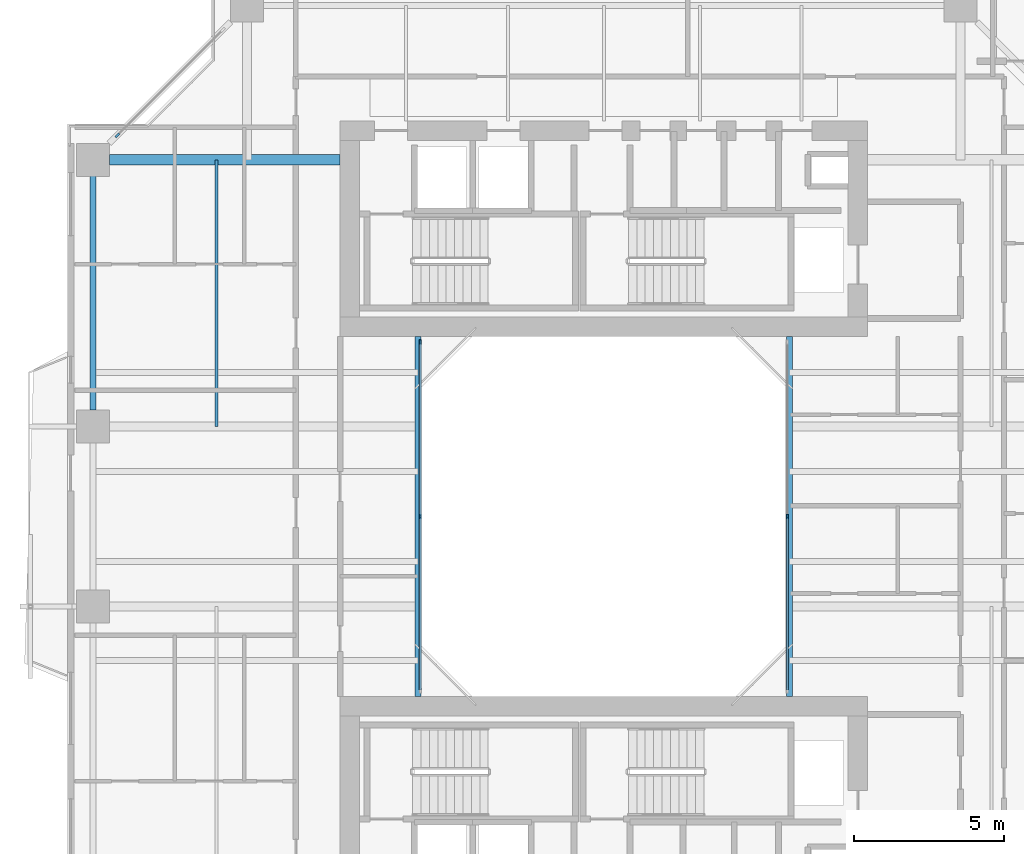
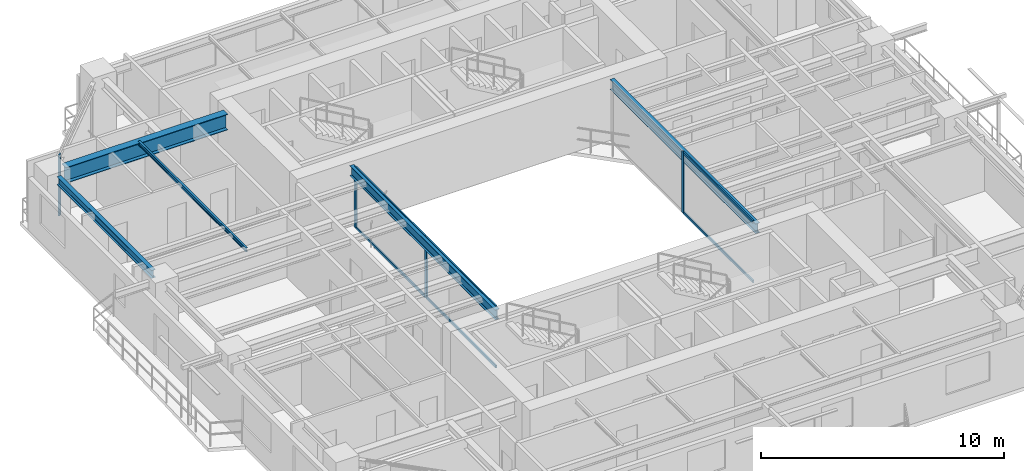
# One storey, part 5 of 17: 10 members, 5 beams, 3 elements without a shape of their own.
"""IFC4 building model written with IfcOpenShell, lengths in metres."""

import ifcopenshell
import ifcopenshell.guid

model = None  # the IFC model being written
_history = None  # IfcOwnerHistory: only IFC2X3 demands one
_inside = {}  # id of a spatial element -> (the spatial element, [elements in it])
_under = {}  # id of a project, library or spatial element -> (it, [spatial elements below it])
_declared = {}  # id of a project -> (the project, [libraries it declares])
_typed = {}  # id of a type object -> (the type object, [elements of that type])
_made_of = {}  # id of a material, layer set ... -> (it, [elements and type objects made of it])


def new_model(schema):
    """Start an empty IFC model of exactly this schema.

    Asked for "IFC4X3", IfcOpenShell would pick the latest addendum, in which some entities
    have other attributes; the version numbers below select the first issue.
    IFC2X3 requires an IfcOwnerHistory on every rooted entity: one is made here for all.
    """
    global model, _history
    if schema == "IFC4X3":
        model = ifcopenshell.file(schema_version=(4, 3, 0, 0))
    else:
        model = ifcopenshell.file(schema=schema)
    _inside.clear()
    _under.clear()
    _declared.clear()
    _typed.clear()
    _made_of.clear()
    _history = None
    if model.schema == "IFC2X3":
        org = make("IfcOrganization", Name="unknown")
        user = make(
            "IfcPersonAndOrganization",
            ThePerson=make("IfcPerson", FamilyName="unknown"),
            TheOrganization=org,
        )
        app = make(
            "IfcApplication",
            ApplicationDeveloper=org,
            Version="unknown",
            ApplicationFullName="unknown",
            ApplicationIdentifier="unknown",
        )
        _history = make(
            "IfcOwnerHistory",
            OwningUser=user,
            OwningApplication=app,
            ChangeAction="ADDED",
            CreationDate=0,
        )
    return model


def make(cls, **values):
    """One entity of the class cls with the attributes given. An attribute that is None is left unset."""
    return model.create_entity(
        cls, **{name: value for name, value in values.items() if value is not None}
    )


def rooted(cls, **values):
    """An entity with a GlobalId (a new one), such as an element, a storey or a relation."""
    return make(cls, GlobalId=ifcopenshell.guid.new(), OwnerHistory=_history, **values)


def si_unit(unit_type, name, prefix=None):
    """IfcSIUnit, for example si_unit("LENGTHUNIT", "METRE", prefix="MILLI")."""
    return make("IfcSIUnit", UnitType=unit_type, Prefix=prefix, Name=name)


def assignment(units):
    """IfcUnitAssignment: the units of a project."""
    return None if units is None else make("IfcUnitAssignment", Units=units)


def point(xyz):
    """IfcCartesianPoint."""
    return None if xyz is None else make("IfcCartesianPoint", Coordinates=xyz)


def direction(xyz):
    """IfcDirection."""
    return None if xyz is None else make("IfcDirection", DirectionRatios=xyz)


def frame(location, z_axis=None, x_axis=None):
    """IfcAxis2Placement3D, a coordinate frame: its origin and axes. An axis left out is left unset."""
    return make(
        "IfcAxis2Placement3D",
        Location=point(location),
        Axis=direction(z_axis),
        RefDirection=direction(x_axis),
    )


def frame_2d(location, x_axis=None):
    """IfcAxis2Placement2D, a coordinate frame in the plane: its origin and x axis."""
    return make(
        "IfcAxis2Placement2D", Location=point(location), RefDirection=direction(x_axis)
    )


def origin():
    """The frame at (0, 0, 0) with its axes left unset."""
    return frame((0.0, 0.0, 0.0))


def origin_2d():
    """The frame at (0, 0) in the plane with its x axis left unset."""
    return frame_2d((0.0, 0.0))


def place(relative_to, where):
    """IfcLocalPlacement: puts the frame where relative to a parent placement (None: the world)."""
    return make(
        "IfcLocalPlacement", PlacementRelTo=relative_to, RelativePlacement=where
    )


def context(
    kind, dimensions, precision=None, world=None, true_north=None, identifier=None
):
    """IfcGeometricRepresentationContext, for example the 3D "Model" context."""
    return make(
        "IfcGeometricRepresentationContext",
        ContextIdentifier=identifier,
        ContextType=kind,
        CoordinateSpaceDimension=dimensions,
        Precision=precision,
        WorldCoordinateSystem=world,
        TrueNorth=true_north,
    )


def subcontext(parent, identifier, kind, view, scale=None):
    """IfcGeometricRepresentationSubContext, for example "Body" below "Model"."""
    return make(
        "IfcGeometricRepresentationSubContext",
        ContextIdentifier=identifier,
        ContextType=kind,
        ParentContext=parent,
        TargetScale=scale,
        TargetView=view,
    )


def project(units=None, contexts=None):
    """IfcProject with its units and contexts."""
    return rooted(
        "IfcProject",
        Name="project",
        RepresentationContexts=contexts,
        UnitsInContext=assignment(units),
    )


def spatial(cls, under=None, at=None, **own):
    """A site, building, storey or space (cls), placed at a placement, below another one or the project."""
    s = rooted(cls, ObjectPlacement=at, **own)
    if under is not None:
        _under.setdefault(under.id(), (under, []))[1].append(s)
    return s


def profile(cls, at=None, kind="AREA", **sizes):
    """A parametric profile (cls). Its sizes go by their IFC names, for example OverallWidth=200.0."""
    return make(cls, ProfileType=kind, Position=at, **sizes)


def rectangle(**sizes):
    """IfcRectangleProfileDef."""
    return profile("IfcRectangleProfileDef", **sizes)


def i_section(**sizes):
    """IfcIShapeProfileDef."""
    return profile("IfcIShapeProfileDef", **sizes)


def extrude(swept, where, along, depth):
    """IfcExtrudedAreaSolid: the profile swept, set in the frame where, extruded along a direction by depth."""
    return make(
        "IfcExtrudedAreaSolid",
        SweptArea=swept,
        Position=where,
        ExtrudedDirection=direction(along),
        Depth=depth,
    )


def shape(context_of_items, identifier, shape_type, items):
    """IfcShapeRepresentation: the items that make up one representation, for example the "Body"."""
    return make(
        "IfcShapeRepresentation",
        ContextOfItems=context_of_items,
        RepresentationIdentifier=identifier,
        RepresentationType=shape_type,
        Items=items,
    )


def source(mapping_origin, context_of_items, identifier, shape_type, items):
    """IfcRepresentationMap: a shape defined once, which mapped items show again and again."""
    return make(
        "IfcRepresentationMap",
        MappingOrigin=mapping_origin,
        MappedRepresentation=shape(context_of_items, identifier, shape_type, items),
    )


def transform(
    local_origin,
    x_axis=None,
    y_axis=None,
    z_axis=None,
    scale=None,
    scale2=None,
    scale3=None,
    uniform=True,
):
    """IfcCartesianTransformationOperator3D, or its non-uniform kind. x_axis, y_axis, z_axis: its Axis1, 2, 3."""
    if uniform:
        return make(
            "IfcCartesianTransformationOperator3D",
            Axis1=direction(x_axis),
            Axis2=direction(y_axis),
            LocalOrigin=point(local_origin),
            Scale=scale,
            Axis3=direction(z_axis),
        )
    return make(
        "IfcCartesianTransformationOperator3DnonUniform",
        Axis1=direction(x_axis),
        Axis2=direction(y_axis),
        LocalOrigin=point(local_origin),
        Scale=scale,
        Axis3=direction(z_axis),
        Scale2=scale2,
        Scale3=scale3,
    )


def mapped(mapping_source, mapping_target):
    """IfcMappedItem: shows the shape of a source again, moved by a transform."""
    return make(
        "IfcMappedItem", MappingSource=mapping_source, MappingTarget=mapping_target
    )


def material(Name=None, Category=None):
    """IfcMaterial."""
    return make("IfcMaterial", Name=Name, Category=Category)


def layer(
    of_material, thickness, ventilated=None, Name=None, Category=None, Priority=None
):
    """IfcMaterialLayer: one layer of a wall or slab, of a material (None: an air gap)."""
    return make(
        "IfcMaterialLayer",
        Material=of_material,
        LayerThickness=thickness,
        IsVentilated=ventilated,
        Name=Name,
        Category=Category,
        Priority=Priority,
    )


def layer_set(layers, Name=None):
    """IfcMaterialLayerSet."""
    return make("IfcMaterialLayerSet", MaterialLayers=layers, LayerSetName=Name)


def material_profile(
    of_material, cross_section, Name=None, Category=None, Priority=None
):
    """IfcMaterialProfile: a cross section and its material."""
    return make(
        "IfcMaterialProfile",
        Name=Name,
        Material=of_material,
        Profile=cross_section,
        Priority=Priority,
        Category=Category,
    )


def profile_set(profiles, Name=None, composite=None):
    """IfcMaterialProfileSet."""
    return make(
        "IfcMaterialProfileSet",
        Name=Name,
        MaterialProfiles=profiles,
        CompositeProfile=composite,
    )


def made_of(thing, what):
    """Note that an element or type object is made of a material, layer set ...; save() writes the relation."""
    if what is not None:
        _made_of.setdefault(what.id(), (what, []))[1].append(thing)
    return thing


def type_object(cls, material=None, **own):
    """A type object (cls), such as IfcWallType, which elements share."""
    return made_of(rooted(cls, **own), material)


def element(
    cls,
    number,
    at=None,
    inside=None,
    cuts=None,
    type_object=None,
    material=None,
    context=None,
    identifier="Body",
    shape_type=None,
    held_by="IfcProductDefinitionShape",
    body=None,
    shapes=None,
    **own,
):
    """One element of the class cls, such as IfcWall. Its Tag is "e" and its number.

    at: its placement. inside: the storey or other place that contains it. cuts: it is an
    opening in that element (IfcRelVoidsElement). A single representation is given by context,
    identifier, shape_type and body (its items); several are given by shapes. held_by: the class
    of the entity that holds the representations. save() writes the other relations.
    """
    e = rooted(cls, Tag="e%d" % number, ObjectPlacement=at, **own)
    if body is not None:
        shapes = [shape(context, identifier, shape_type, body)]
    if shapes is not None:
        e.Representation = make(held_by, Representations=shapes)
    if inside is not None:
        _inside.setdefault(inside.id(), (inside, []))[1].append(e)
    if cuts is not None:
        rooted(
            "IfcRelVoidsElement", RelatingBuildingElement=cuts, RelatedOpeningElement=e
        )
    if type_object is not None:
        _typed.setdefault(type_object.id(), (type_object, []))[1].append(e)
    return made_of(e, material)


def aggregate(whole, parts):
    """IfcRelAggregates: a whole, such as a stair, and the parts it consists of."""
    return rooted("IfcRelAggregates", RelatingObject=whole, RelatedObjects=parts)


def save(model, path):
    """Write the relations noted so far, then the file.

    IfcRelAggregates (storeys below a building ...), IfcRelContainedInSpatialStructure (elements
    in a storey), IfcRelDefinesByType, IfcRelAssociatesMaterial and IfcRelDeclares: one each for
    every whole, place, type object, material and project.
    """
    for whole, parts in _under.values():
        aggregate(whole, parts)
    for where, things in _inside.values():
        rooted(
            "IfcRelContainedInSpatialStructure",
            RelatedElements=things,
            RelatingStructure=where,
        )
    for kind, things in _typed.values():
        rooted("IfcRelDefinesByType", RelatedObjects=things, RelatingType=kind)
    for what, things in _made_of.values():
        rooted("IfcRelAssociatesMaterial", RelatedObjects=things, RelatingMaterial=what)
    for by, libraries in _declared.values():
        rooted("IfcRelDeclares", RelatingContext=by, RelatedDefinitions=libraries)
    model.write(path)


model = new_model("IFC4")

# Units and contexts
model_context = context("Model", 3, precision=1e-05, world=origin(), true_north=direction((0.0, 1.0)))
body_context = subcontext(model_context, "Body", "Model", "MODEL_VIEW")
ifc_project = project(units=[si_unit("LENGTHUNIT", "METRE"), si_unit("AREAUNIT", "SQUARE_METRE"), si_unit("VOLUMEUNIT", "CUBIC_METRE"), si_unit("PLANEANGLEUNIT", "RADIAN"), si_unit("MASSUNIT", "GRAM", prefix="KILO"), si_unit("THERMODYNAMICTEMPERATUREUNIT", "KELVIN"), si_unit("POWERUNIT", "WATT")], contexts=[model_context])

# Site, building, storey
site_placement = place(None, origin())
site = spatial("IfcSite", under=ifc_project, at=site_placement, CompositionType="ELEMENT")
building_placement = place(site_placement, origin())
building = spatial("IfcBuilding", under=site, at=building_placement, Name="Qiaomeng Ring Towers", CompositionType="ELEMENT")
storey_placement = place(building_placement, frame((0.0, 0.0, 123.0)))
storey = spatial("IfcBuildingStorey", under=building, at=storey_placement, Name="L35", CompositionType="ELEMENT", Elevation=123.0)

# Beams
ifc_material_1 = material(Name="Steel Q355B", Category="steel")
ifc_material_profile_1 = material_profile(ifc_material_1, i_section(OverallWidth=0.199951171875, OverallDepth=0.5, WebThickness=0.010009765625, FlangeThickness=0.01611328125, FilletRadius=0.02001953125, at=origin_2d()), Name="HN 500x200x10x16")
ifc_profile_set_1 = profile_set([ifc_material_profile_1], Name="Steel Q355B")
beam_type_1 = type_object("IfcBeamType", Name="STR-BM-HN500", PredefinedType="BEAM", material=ifc_profile_set_1)
shared_shape_1 = source(origin(), body_context, "Body", "SweptSolid", [
    extrude(i_section(OverallWidth=0.199951171875, OverallDepth=0.5, WebThickness=0.010009765625, FlangeThickness=0.01611328125, FilletRadius=0.02001953125, at=origin_2d()), origin(), (0.0, 0.0, 1.0), 12.0),
])
for number, where, z_axis, x_axis, name in (
    (1, (12.800048828125, 17.0, 2.820068359375), (0.0, 1.0, 0.0), (-1.0, 0.0, 0.0), "L35 beam STR-BM-L35-WELL-W"),
    (2, (25.199951171875, 17.0, 2.820068359375), (0.0, 1.0, 0.0), (-1.0, 0.0, 0.0), "L35 beam STR-BM-L35-WELL-E"),
):
    element("IfcBeam", number, at=place(storey_placement, frame(where, z_axis=z_axis, x_axis=x_axis)), inside=storey, type_object=beam_type_1, Name=name, PredefinedType="BEAM", context=body_context, shape_type="MappedRepresentation", body=[
        mapped(shared_shape_1, transform((0.0, 0.0, 0.0), x_axis=(1.0, 0.0, 0.0), y_axis=(0.0, 1.0, 0.0), z_axis=(0.0, 0.0, 1.0), scale=1.0)),
    ])
ifc_material_profile_2 = material_profile(ifc_material_1, i_section(OverallWidth=0.199951171875, OverallDepth=0.39990234375, WebThickness=0.008056640625, FlangeThickness=0.012939453125, FilletRadius=0.01611328125, at=origin_2d()), Name="HN 400x200x8x13")
ifc_profile_set_2 = profile_set([ifc_material_profile_2], Name="Steel Q355B")
beam_type_2 = type_object("IfcBeamType", Name="STR-BM-HN400", PredefinedType="SPANDREL", material=ifc_profile_set_2)
shared_shape_2 = source(origin(), body_context, "Body", "SweptSolid", [
    extrude(i_section(OverallWidth=0.199951171875, OverallDepth=0.39990234375, WebThickness=0.008056640625, FlangeThickness=0.012939453125, FilletRadius=0.01611328125, at=origin_2d()), origin(), (0.0, 0.0, 1.0), 7.802001953125),
])
beam_1_placement = place(storey_placement, frame((1.949951171875, 34.35107421875, 2.8701171875), z_axis=(0.0, -1.0, 0.0), x_axis=(1.0, 0.0, 0.0)))
element("IfcBeam", 3, at=beam_1_placement, inside=storey, type_object=beam_type_2, Name="L35 beam STR-SP-L35-T1-W4-W3", PredefinedType="SPANDREL", context=body_context, shape_type="MappedRepresentation", body=[
    mapped(shared_shape_2, transform((0.0, 0.0, 0.0), x_axis=(1.0, 0.0, 0.0), y_axis=(0.0, 1.0, 0.0), z_axis=(0.0, 0.0, 1.0), scale=1.0)),
])
ifc_material_2 = material(Name="Steel Q390GJC", Category="steel")
ifc_material_profile_3 = material_profile(ifc_material_2, i_section(OverallWidth=0.35009765625, OverallDepth=0.800048828125, WebThickness=0.01611328125, FlangeThickness=0.028076171875, at=origin_2d()), Name="WH 800x350x16x28")
ifc_profile_set_3 = profile_set([ifc_material_profile_3], Name="Steel Q390GJC")
beam_type_3 = type_object("IfcBeamType", Name="STR-BM-WH800", PredefinedType="BEAM", material=ifc_profile_set_3)
shared_shape_3 = source(origin(), body_context, "Body", "SweptSolid", [
    extrude(i_section(OverallWidth=0.35009765625, OverallDepth=0.800048828125, WebThickness=0.01611328125, FlangeThickness=0.028076171875, at=origin_2d()), origin(), (0.0, 0.0, 1.0), 7.700927734375),
])
beam_2_placement = place(storey_placement, frame((2.4990234375, 34.89990234375, 2.669921875), z_axis=(1.0, 0.0, 0.0), x_axis=(0.0, 1.0, 0.0)))
element("IfcBeam", 4, at=beam_2_placement, inside=storey, type_object=beam_type_3, Name="L35 beam STR-BM-L35-T1-RAD-W4", PredefinedType="BEAM", context=body_context, shape_type="MappedRepresentation", body=[
    mapped(shared_shape_3, transform((0.0, 0.0, 0.0), x_axis=(1.0, 0.0, 0.0), y_axis=(0.0, 1.0, 0.0), z_axis=(0.0, 0.0, 1.0), scale=1.0)),
])
ifc_material_profile_4 = material_profile(ifc_material_1, i_section(OverallWidth=0.10009765625, OverallDepth=0.199951171875, WebThickness=0.005615234375, FlangeThickness=0.008056640625, FilletRadius=0.010986328125, at=origin_2d()), Name="HN 200x100x5.5x8")
ifc_profile_set_4 = profile_set([ifc_material_profile_4], Name="Steel Q355B")
beam_type_4 = type_object("IfcBeamType", Name="STR-BM-HN200", PredefinedType="JOIST", material=ifc_profile_set_4)
shared_shape_4 = source(origin(), body_context, "Body", "SweptSolid", [
    extrude(i_section(OverallWidth=0.10009765625, OverallDepth=0.199951171875, WebThickness=0.005615234375, FlangeThickness=0.008056640625, FilletRadius=0.010986328125, at=origin_2d()), origin(), (0.0, 0.0, 1.0), 8.89990234375),
])
beam_3_placement = place(storey_placement, frame((6.074951171875, 26.0, 2.969970703125), z_axis=(0.0, 1.0, 0.0), x_axis=(-1.0, 0.0, 0.0)))
element("IfcBeam", 5, at=beam_3_placement, inside=storey, type_object=beam_type_4, Name="L35 beam STR-JST-L35-T1C-WN", PredefinedType="JOIST", context=body_context, shape_type="MappedRepresentation", body=[
    mapped(shared_shape_4, transform((0.0, 0.0, 0.0), x_axis=(1.0, 0.0, 0.0), y_axis=(0.0, 1.0, 0.0), z_axis=(0.0, 0.0, 1.0), scale=1.0)),
])

# Curtain wall, members
ifc_material_3 = material(Name="Fluorocarbon dark-grey aluminium", Category="aluminium")
ifc_layer_1 = layer(ifc_material_3, 0.139892578125, Name="Fluorocarbon dark-grey aluminium")
ifc_layer_set_1 = layer_set([ifc_layer_1], Name="Fluorocarbon dark-grey aluminium")
curtain_wall_type_1 = type_object("IfcCurtainWallType", Name="ARC-CW-4", PredefinedType="NOTDEFINED", material=ifc_layer_set_1)
curtain_wall_1_placement = place(storey_placement, origin())
curtain_wall_1 = element("IfcCurtainWall", 6, at=curtain_wall_1_placement, inside=storey, type_object=curtain_wall_type_1, Name="L35 Curtain Wall CW4", PredefinedType="NOTDEFINED")
ifc_material_profile_5 = material_profile(ifc_material_3, rectangle(XDim=0.06494140625, YDim=0.159912109375, at=origin_2d()), Name="ALU MULL 65x160")
ifc_profile_set_5 = profile_set([ifc_material_profile_5], Name="Fluorocarbon dark-grey aluminium")
member_type_1 = type_object("IfcMemberType", Name="ARC-CWM-140", PredefinedType="MULLION", material=ifc_profile_set_5)
shared_shape_5 = source(origin(), body_context, "Body", "SweptSolid", [
    extrude(rectangle(XDim=0.06494140625, YDim=0.159912109375, at=origin_2d()), origin(), (0.0, 0.0, 1.0), 3.070068359375),
])
member_1_placement = place(storey_placement, frame((12.8798828125, 23.0, 0.0), z_axis=(0.0, 0.0, 1.0), x_axis=(-1.0, 0.0, 0.0)))
member_1 = element("IfcMember", 7, at=member_1_placement, type_object=member_type_1, Name="CW4 mullion 2", PredefinedType="MULLION", context=body_context, shape_type="MappedRepresentation", body=[
    mapped(shared_shape_5, transform((0.0, 0.0, 0.0), x_axis=(1.0, 0.0, 0.0), y_axis=(0.0, 1.0, 0.0), z_axis=(0.0, 0.0, 1.0), scale=1.0)),
])
member_2_placement = place(storey_placement, frame((12.8798828125, 28.8173828125, 0.0), z_axis=(0.0, 0.0, 1.0), x_axis=(-1.0, 0.0, 0.0)))
member_2 = element("IfcMember", 8, at=member_2_placement, type_object=member_type_1, Name="CW4 mullion 3", PredefinedType="MULLION", context=body_context, shape_type="MappedRepresentation", body=[
    mapped(shared_shape_5, transform((0.0, 0.0, 0.0), x_axis=(1.0, 0.0, 0.0), y_axis=(0.0, 1.0, 0.0), z_axis=(0.0, 0.0, 1.0), scale=1.0)),
])

# Curtain wall, member
curtain_wall_2_placement = place(storey_placement, origin())
curtain_wall_2 = element("IfcCurtainWall", 9, at=curtain_wall_2_placement, inside=storey, type_object=curtain_wall_type_1, Name="L35 Curtain Wall CW4", PredefinedType="NOTDEFINED")
member_3_placement = place(storey_placement, frame((25.1201171875, 23.0, 0.0), z_axis=(0.0, 0.0, 1.0), x_axis=(-1.0, 0.0, 0.0)))
member_3 = element("IfcMember", 10, at=member_3_placement, type_object=member_type_1, Name="CW4 mullion 2", PredefinedType="MULLION", context=body_context, shape_type="MappedRepresentation", body=[
    mapped(shared_shape_5, transform((0.0, 0.0, 0.0), x_axis=(1.0, 0.0, 0.0), y_axis=(0.0, 1.0, 0.0), z_axis=(0.0, 0.0, 1.0), scale=1.0)),
])

# Member
ifc_material_profile_6 = material_profile(ifc_material_3, rectangle(XDim=0.06494140625, YDim=0.1298828125, at=origin_2d()), Name="ALU TRAN 65x130")
ifc_profile_set_6 = profile_set([ifc_material_profile_6], Name="Fluorocarbon dark-grey aluminium")
member_type_2 = type_object("IfcMemberType", Name="ARC-CWT-120", PredefinedType="USERDEFINED", material=ifc_profile_set_6)
shared_shape_6 = source(origin(), body_context, "Body", "SweptSolid", [
    extrude(rectangle(XDim=0.06494140625, YDim=0.1298828125, at=origin_2d()), origin(), (0.0, 0.0, 1.0), 5.75244140625),
])
member_4_placement = place(storey_placement, frame((12.8798828125, 17.215087890625, 0.032470703125), z_axis=(0.0, 1.0, 0.0), x_axis=(-1.0, 0.0, 0.0)))
member_4 = element("IfcMember", 11, at=member_4_placement, type_object=member_type_2, Name="CW4 transom 1.1", ObjectType="TRANSOM", PredefinedType="USERDEFINED", context=body_context, shape_type="MappedRepresentation", body=[
    mapped(shared_shape_6, transform((0.0, 0.0, 0.0), x_axis=(1.0, 0.0, 0.0), y_axis=(0.0, 1.0, 0.0), z_axis=(0.0, 0.0, 1.0), scale=1.0)),
])

member_5_placement = place(storey_placement, frame((12.8798828125, 17.215087890625, 3.03759765625), z_axis=(0.0, 1.0, 0.0), x_axis=(-1.0, 0.0, 0.0)))
member_5 = element("IfcMember", 12, at=member_5_placement, type_object=member_type_2, Name="CW4 transom 1.2", ObjectType="TRANSOM", PredefinedType="USERDEFINED", context=body_context, shape_type="MappedRepresentation", body=[
    mapped(shared_shape_6, transform((0.0, 0.0, 0.0), x_axis=(1.0, 0.0, 0.0), y_axis=(0.0, 1.0, 0.0), z_axis=(0.0, 0.0, 1.0), scale=1.0)),
])

member_6_placement = place(storey_placement, frame((12.8798828125, 23.032470703125, 0.032470703125), z_axis=(0.0, 1.0, 0.0), x_axis=(-1.0, 0.0, 0.0)))
member_6 = element("IfcMember", 13, at=member_6_placement, type_object=member_type_2, Name="CW4 transom 2.1", ObjectType="TRANSOM", PredefinedType="USERDEFINED", context=body_context, shape_type="MappedRepresentation", body=[
    mapped(shared_shape_6, transform((0.0, 0.0, 0.0), x_axis=(1.0, 0.0, 0.0), y_axis=(0.0, 1.0, 0.0), z_axis=(0.0, 0.0, 1.0), scale=1.0)),
])

member_7_placement = place(storey_placement, frame((12.8798828125, 23.032470703125, 3.03759765625), z_axis=(0.0, 1.0, 0.0), x_axis=(-1.0, 0.0, 0.0)))
member_7 = element("IfcMember", 14, at=member_7_placement, type_object=member_type_2, Name="CW4 transom 2.2", ObjectType="TRANSOM", PredefinedType="USERDEFINED", context=body_context, shape_type="MappedRepresentation", body=[
    mapped(shared_shape_6, transform((0.0, 0.0, 0.0), x_axis=(1.0, 0.0, 0.0), y_axis=(0.0, 1.0, 0.0), z_axis=(0.0, 0.0, 1.0), scale=1.0)),
])

aggregate(curtain_wall_1, [member_1, member_2, member_4, member_5, member_6, member_7])

member_8_placement = place(storey_placement, frame((25.1201171875, 17.215087890625, 0.032470703125), z_axis=(0.0, 1.0, 0.0), x_axis=(-1.0, 0.0, 0.0)))
member_8 = element("IfcMember", 15, at=member_8_placement, type_object=member_type_2, Name="CW4 transom 1.1", ObjectType="TRANSOM", PredefinedType="USERDEFINED", context=body_context, shape_type="MappedRepresentation", body=[
    mapped(shared_shape_6, transform((0.0, 0.0, 0.0), x_axis=(1.0, 0.0, 0.0), y_axis=(0.0, 1.0, 0.0), z_axis=(0.0, 0.0, 1.0), scale=1.0)),
])

member_9_placement = place(storey_placement, frame((25.1201171875, 17.215087890625, 3.03759765625), z_axis=(0.0, 1.0, 0.0), x_axis=(-1.0, 0.0, 0.0)))
member_9 = element("IfcMember", 16, at=member_9_placement, type_object=member_type_2, Name="CW4 transom 1.2", ObjectType="TRANSOM", PredefinedType="USERDEFINED", context=body_context, shape_type="MappedRepresentation", body=[
    mapped(shared_shape_6, transform((0.0, 0.0, 0.0), x_axis=(1.0, 0.0, 0.0), y_axis=(0.0, 1.0, 0.0), z_axis=(0.0, 0.0, 1.0), scale=1.0)),
])

aggregate(curtain_wall_2, [member_3, member_8, member_9])

# Curtain wall, member
ifc_layer_2 = layer(ifc_material_3, 0.14990234375, Name="Fluorocarbon dark-grey aluminium")
ifc_layer_set_2 = layer_set([ifc_layer_2], Name="Fluorocarbon dark-grey aluminium")
curtain_wall_type_2 = type_object("IfcCurtainWallType", Name="ARC-CW-3", PredefinedType="NOTDEFINED", material=ifc_layer_set_2)
curtain_wall_3_placement = place(storey_placement, origin())
curtain_wall_3 = element("IfcCurtainWall", 17, at=curtain_wall_3_placement, inside=storey, type_object=curtain_wall_type_2, Name="L35 Curtain Wall CW3", PredefinedType="NOTDEFINED")
ifc_material_profile_7 = material_profile(ifc_material_3, rectangle(XDim=0.070068359375, YDim=0.179931640625, at=origin_2d()), Name="ALU MULL 70x180")
ifc_profile_set_7 = profile_set([ifc_material_profile_7], Name="Fluorocarbon dark-grey aluminium")
member_type_3 = type_object("IfcMemberType", Name="ARC-CWM-160", PredefinedType="MULLION", material=ifc_profile_set_7)
shared_shape_7 = source(origin(), body_context, "Body", "SweptSolid", [
    extrude(rectangle(XDim=0.070068359375, YDim=0.179931640625, at=origin_2d()), origin(), (0.0, 0.0, 1.0), 3.070068359375),
])
member_10_placement = place(storey_placement, frame((2.7646484375, 35.71484375, 0.0), z_axis=(0.0, 0.0, 1.0), x_axis=(0.707106781187, -0.707106781187, 0.0)))
member_10 = element("IfcMember", 18, at=member_10_placement, type_object=member_type_3, Name="CW3 mullion 2", PredefinedType="MULLION", context=body_context, shape_type="MappedRepresentation", body=[
    mapped(shared_shape_7, transform((0.0, 0.0, 0.0), x_axis=(1.0, 0.0, 0.0), y_axis=(0.0, 1.0, 0.0), z_axis=(0.0, 0.0, 1.0), scale=1.0)),
])
aggregate(curtain_wall_3, [member_10])

save(model, "model.ifc")
